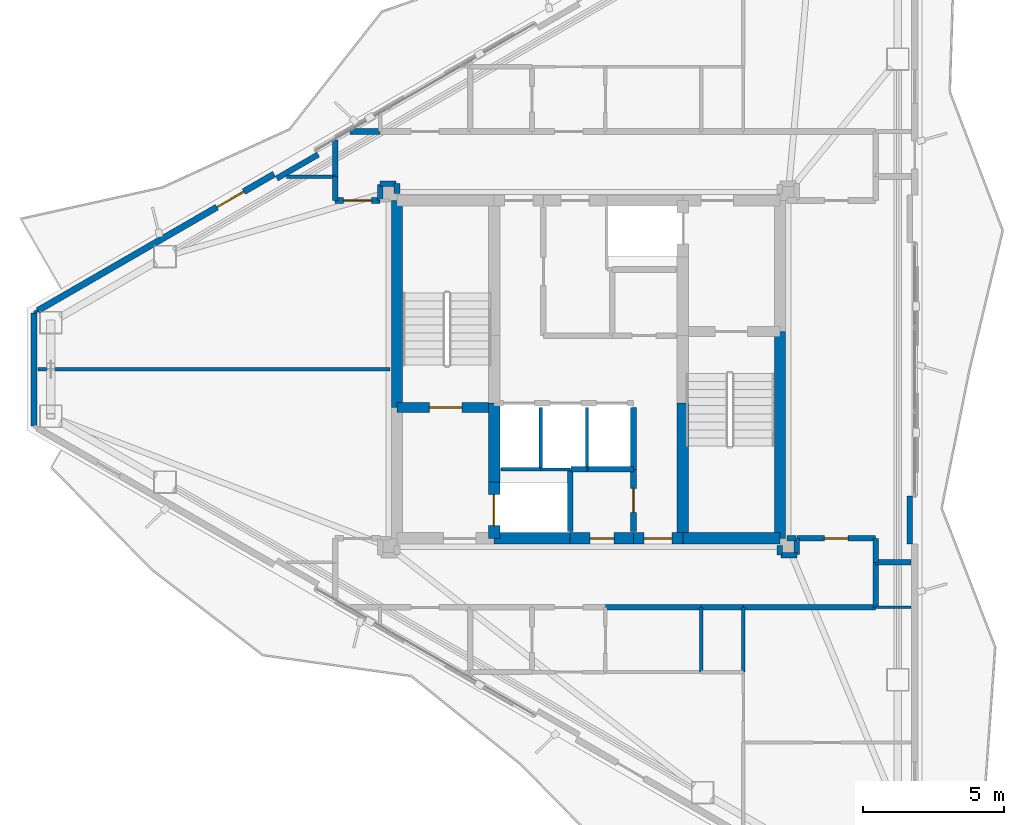
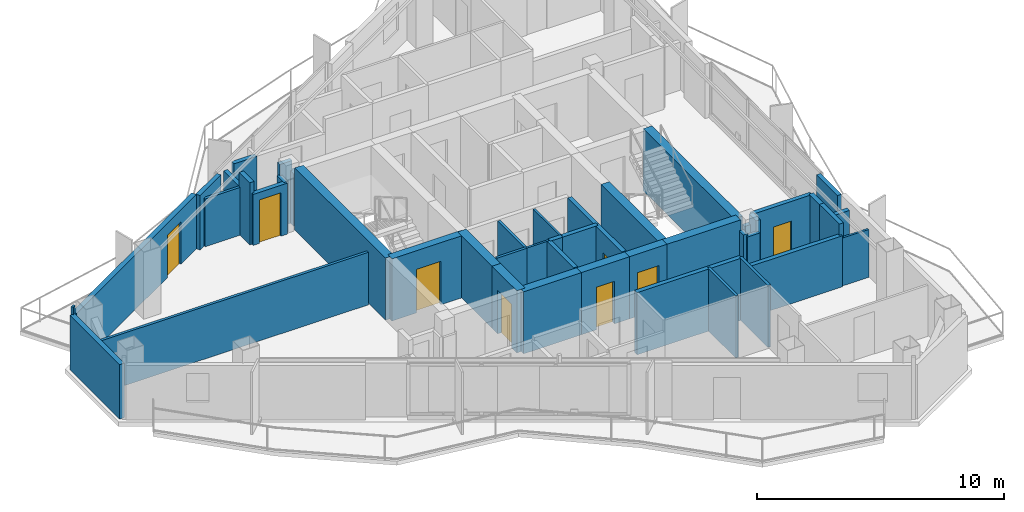
# One storey, part 17 of 22: 47 walls, 8 doors, 8 openings.
"""IFC4 building model written with IfcOpenShell, lengths in metres."""

import ifcopenshell
import ifcopenshell.guid

model = None  # the IFC model being written
_history = None  # IfcOwnerHistory: only IFC2X3 demands one
_inside = {}  # id of a spatial element -> (the spatial element, [elements in it])
_under = {}  # id of a project, library or spatial element -> (it, [spatial elements below it])
_declared = {}  # id of a project -> (the project, [libraries it declares])
_typed = {}  # id of a type object -> (the type object, [elements of that type])
_made_of = {}  # id of a material, layer set ... -> (it, [elements and type objects made of it])


def new_model(schema):
    """Start an empty IFC model of exactly this schema.

    Asked for "IFC4X3", IfcOpenShell would pick the latest addendum, in which some entities
    have other attributes; the version numbers below select the first issue.
    IFC2X3 requires an IfcOwnerHistory on every rooted entity: one is made here for all.
    """
    global model, _history
    if schema == "IFC4X3":
        model = ifcopenshell.file(schema_version=(4, 3, 0, 0))
    else:
        model = ifcopenshell.file(schema=schema)
    _inside.clear()
    _under.clear()
    _declared.clear()
    _typed.clear()
    _made_of.clear()
    _history = None
    if model.schema == "IFC2X3":
        org = make("IfcOrganization", Name="unknown")
        user = make(
            "IfcPersonAndOrganization",
            ThePerson=make("IfcPerson", FamilyName="unknown"),
            TheOrganization=org,
        )
        app = make(
            "IfcApplication",
            ApplicationDeveloper=org,
            Version="unknown",
            ApplicationFullName="unknown",
            ApplicationIdentifier="unknown",
        )
        _history = make(
            "IfcOwnerHistory",
            OwningUser=user,
            OwningApplication=app,
            ChangeAction="ADDED",
            CreationDate=0,
        )
    return model


def make(cls, **values):
    """One entity of the class cls with the attributes given. An attribute that is None is left unset."""
    return model.create_entity(
        cls, **{name: value for name, value in values.items() if value is not None}
    )


def rooted(cls, **values):
    """An entity with a GlobalId (a new one), such as an element, a storey or a relation."""
    return make(cls, GlobalId=ifcopenshell.guid.new(), OwnerHistory=_history, **values)


def si_unit(unit_type, name, prefix=None):
    """IfcSIUnit, for example si_unit("LENGTHUNIT", "METRE", prefix="MILLI")."""
    return make("IfcSIUnit", UnitType=unit_type, Prefix=prefix, Name=name)


def assignment(units):
    """IfcUnitAssignment: the units of a project."""
    return None if units is None else make("IfcUnitAssignment", Units=units)


def point(xyz):
    """IfcCartesianPoint."""
    return None if xyz is None else make("IfcCartesianPoint", Coordinates=xyz)


def direction(xyz):
    """IfcDirection."""
    return None if xyz is None else make("IfcDirection", DirectionRatios=xyz)


def frame(location, z_axis=None, x_axis=None):
    """IfcAxis2Placement3D, a coordinate frame: its origin and axes. An axis left out is left unset."""
    return make(
        "IfcAxis2Placement3D",
        Location=point(location),
        Axis=direction(z_axis),
        RefDirection=direction(x_axis),
    )


def frame_2d(location, x_axis=None):
    """IfcAxis2Placement2D, a coordinate frame in the plane: its origin and x axis."""
    return make(
        "IfcAxis2Placement2D", Location=point(location), RefDirection=direction(x_axis)
    )


def origin():
    """The frame at (0, 0, 0) with its axes left unset."""
    return frame((0.0, 0.0, 0.0))


def place(relative_to, where):
    """IfcLocalPlacement: puts the frame where relative to a parent placement (None: the world)."""
    return make(
        "IfcLocalPlacement", PlacementRelTo=relative_to, RelativePlacement=where
    )


def context(
    kind, dimensions, precision=None, world=None, true_north=None, identifier=None
):
    """IfcGeometricRepresentationContext, for example the 3D "Model" context."""
    return make(
        "IfcGeometricRepresentationContext",
        ContextIdentifier=identifier,
        ContextType=kind,
        CoordinateSpaceDimension=dimensions,
        Precision=precision,
        WorldCoordinateSystem=world,
        TrueNorth=true_north,
    )


def subcontext(parent, identifier, kind, view, scale=None):
    """IfcGeometricRepresentationSubContext, for example "Body" below "Model"."""
    return make(
        "IfcGeometricRepresentationSubContext",
        ContextIdentifier=identifier,
        ContextType=kind,
        ParentContext=parent,
        TargetScale=scale,
        TargetView=view,
    )


def project(units=None, contexts=None):
    """IfcProject with its units and contexts."""
    return rooted(
        "IfcProject",
        Name="project",
        RepresentationContexts=contexts,
        UnitsInContext=assignment(units),
    )


def spatial(cls, under=None, at=None, **own):
    """A site, building, storey or space (cls), placed at a placement, below another one or the project."""
    s = rooted(cls, ObjectPlacement=at, **own)
    if under is not None:
        _under.setdefault(under.id(), (under, []))[1].append(s)
    return s


def profile(cls, at=None, kind="AREA", **sizes):
    """A parametric profile (cls). Its sizes go by their IFC names, for example OverallWidth=200.0."""
    return make(cls, ProfileType=kind, Position=at, **sizes)


def rectangle(**sizes):
    """IfcRectangleProfileDef."""
    return profile("IfcRectangleProfileDef", **sizes)


def extrude(swept, where, along, depth):
    """IfcExtrudedAreaSolid: the profile swept, set in the frame where, extruded along a direction by depth."""
    return make(
        "IfcExtrudedAreaSolid",
        SweptArea=swept,
        Position=where,
        ExtrudedDirection=direction(along),
        Depth=depth,
    )


def shape(context_of_items, identifier, shape_type, items):
    """IfcShapeRepresentation: the items that make up one representation, for example the "Body"."""
    return make(
        "IfcShapeRepresentation",
        ContextOfItems=context_of_items,
        RepresentationIdentifier=identifier,
        RepresentationType=shape_type,
        Items=items,
    )


def material(Name=None, Category=None):
    """IfcMaterial."""
    return make("IfcMaterial", Name=Name, Category=Category)


def layer(
    of_material, thickness, ventilated=None, Name=None, Category=None, Priority=None
):
    """IfcMaterialLayer: one layer of a wall or slab, of a material (None: an air gap)."""
    return make(
        "IfcMaterialLayer",
        Material=of_material,
        LayerThickness=thickness,
        IsVentilated=ventilated,
        Name=Name,
        Category=Category,
        Priority=Priority,
    )


def layer_set(layers, Name=None):
    """IfcMaterialLayerSet."""
    return make("IfcMaterialLayerSet", MaterialLayers=layers, LayerSetName=Name)


def made_of(thing, what):
    """Note that an element or type object is made of a material, layer set ...; save() writes the relation."""
    if what is not None:
        _made_of.setdefault(what.id(), (what, []))[1].append(thing)
    return thing


def type_object(cls, material=None, **own):
    """A type object (cls), such as IfcWallType, which elements share."""
    return made_of(rooted(cls, **own), material)


def element(
    cls,
    number,
    at=None,
    inside=None,
    cuts=None,
    type_object=None,
    material=None,
    context=None,
    identifier="Body",
    shape_type=None,
    held_by="IfcProductDefinitionShape",
    body=None,
    shapes=None,
    **own,
):
    """One element of the class cls, such as IfcWall. Its Tag is "e" and its number.

    at: its placement. inside: the storey or other place that contains it. cuts: it is an
    opening in that element (IfcRelVoidsElement). A single representation is given by context,
    identifier, shape_type and body (its items); several are given by shapes. held_by: the class
    of the entity that holds the representations. save() writes the other relations.
    """
    e = rooted(cls, Tag="e%d" % number, ObjectPlacement=at, **own)
    if body is not None:
        shapes = [shape(context, identifier, shape_type, body)]
    if shapes is not None:
        e.Representation = make(held_by, Representations=shapes)
    if inside is not None:
        _inside.setdefault(inside.id(), (inside, []))[1].append(e)
    if cuts is not None:
        rooted(
            "IfcRelVoidsElement", RelatingBuildingElement=cuts, RelatedOpeningElement=e
        )
    if type_object is not None:
        _typed.setdefault(type_object.id(), (type_object, []))[1].append(e)
    return made_of(e, material)


def fill(opening, filler):
    """IfcRelFillsElement: the door or window that sits in an opening."""
    return rooted(
        "IfcRelFillsElement",
        RelatingOpeningElement=opening,
        RelatedBuildingElement=filler,
    )


def aggregate(whole, parts):
    """IfcRelAggregates: a whole, such as a stair, and the parts it consists of."""
    return rooted("IfcRelAggregates", RelatingObject=whole, RelatedObjects=parts)


def save(model, path):
    """Write the relations noted so far, then the file.

    IfcRelAggregates (storeys below a building ...), IfcRelContainedInSpatialStructure (elements
    in a storey), IfcRelDefinesByType, IfcRelAssociatesMaterial and IfcRelDeclares: one each for
    every whole, place, type object, material and project.
    """
    for whole, parts in _under.values():
        aggregate(whole, parts)
    for where, things in _inside.values():
        rooted(
            "IfcRelContainedInSpatialStructure",
            RelatedElements=things,
            RelatingStructure=where,
        )
    for kind, things in _typed.values():
        rooted("IfcRelDefinesByType", RelatedObjects=things, RelatingType=kind)
    for what, things in _made_of.values():
        rooted("IfcRelAssociatesMaterial", RelatedObjects=things, RelatingMaterial=what)
    for by, libraries in _declared.values():
        rooted("IfcRelDeclares", RelatingContext=by, RelatedDefinitions=libraries)
    model.write(path)


model = new_model("IFC4")

# Units and contexts
model_context = context("Model", 3, precision=1e-05, world=origin(), true_north=direction((0.0, 1.0)))
body_context = subcontext(model_context, "Body", "Model", "MODEL_VIEW")
ifc_project = project(units=[si_unit("LENGTHUNIT", "METRE"), si_unit("AREAUNIT", "SQUARE_METRE"), si_unit("VOLUMEUNIT", "CUBIC_METRE"), si_unit("PLANEANGLEUNIT", "RADIAN"), si_unit("MASSUNIT", "GRAM", prefix="KILO")], contexts=[model_context])

# Site, building, storey
site_placement = place(None, origin())
site = spatial("IfcSite", under=ifc_project, at=site_placement, CompositionType="ELEMENT")
building_placement = place(site_placement, origin())
building = spatial("IfcBuilding", under=site, at=building_placement, Name="Mersakhor Tower and Convention Hall", CompositionType="ELEMENT")
storey_placement = place(building_placement, frame((0.0, 0.0, 208.5)))
storey = spatial("IfcBuildingStorey", under=building, at=storey_placement, Name="L58", CompositionType="ELEMENT", Elevation=208.5)

# Wall
ifc_material_1 = material(Name="Precast concrete C40/50", Category="concrete")
ifc_layer_1 = layer(ifc_material_1, 0.22509765625)
ifc_layer_set_1 = layer_set([ifc_layer_1], Name="Precast concrete C40/50")
wall_type_1 = type_object("IfcWallType", Name="WL-EXT-225", PredefinedType="SOLIDWALL", material=ifc_layer_set_1)
wall_1_placement = place(storey_placement, frame((9.3076171875, 24.73828125, 0.0), z_axis=(0.0, 0.0, 1.0), x_axis=(0.0, 1.0, 0.0)))
element("IfcWall", 1, at=wall_1_placement, inside=storey, type_object=wall_type_1, Name="L58 Chamfer Braced Spandrel Wall C3", PredefinedType="SOLIDWALL", context=body_context, shape_type="SweptSolid", body=[
    extrude(rectangle(XDim=4.0234375, YDim=0.22509765625, at=frame_2d((2.01171875, 0.0))), origin(), (0.0, 0.0, 1.0), 2.68994140625),
])

# Wall, opening, door
wall_2_placement = place(storey_placement, frame((9.4375, 28.836669921875, 0.0), z_axis=(0.0, 0.0, 1.0), x_axis=(0.866027133173, 0.499997004599, 0.0)))
wall_2 = element("IfcWall", 2, at=wall_2_placement, inside=storey, type_object=wall_type_1, Name="L58 Exterior Facade Wall F1-B1", PredefinedType="SOLIDWALL", context=body_context, shape_type="SweptSolid", body=[
    extrude(rectangle(XDim=9.69873046875, YDim=0.22509765625, at=frame_2d((4.849365234375, 0.0))), origin(), (0.0, 0.0, 1.0), 2.68994140625),
])
opening_1_placement = place(wall_2_placement, frame((7.35205078125, 0.0, 0.0)))
opening_1 = element("IfcOpeningElement", 3, at=opening_1_placement, cuts=wall_2, Name="Opening BD-02", PredefinedType="OPENING", context=body_context, shape_type="SweptSolid", body=[
    extrude(rectangle(XDim=1.10009765625, YDim=2.10009765625, at=frame_2d((0.550048828125, 1.050048828125))), frame((0.0, 0.12255859375, 0.0), z_axis=(0.0, -1.0, 0.0), x_axis=(1.0, 0.0, 0.0)), (0.0, 0.0, 1.0), 0.2451171875),
])
ifc_material_2 = material(Name="Thermally broken dark aluminium and safety glass", Category="aluminium")
door_type_1 = type_object("IfcDoorType", Name="DR-BAL-110x210", OperationType="NOTDEFINED", PredefinedType="DOOR", material=ifc_material_2)
door_1_placement = place(opening_1_placement, origin())
door_1 = element("IfcDoor", 4, at=door_1_placement, inside=storey, type_object=door_type_1, Name="L58 Balcony Terrace Door F1-B1", OperationType="SINGLE_SWING_RIGHT", OverallHeight=2.10009765625, OverallWidth=1.10009765625, PredefinedType="DOOR", context=body_context, shape_type="SweptSolid", body=[
    extrude(rectangle(XDim=1.10009765625, YDim=2.10009765625, at=frame_2d((0.550048828125, 1.050048828125))), frame((0.0, 0.02490234375, 0.0), z_axis=(0.0, -1.0, 0.0), x_axis=(1.0, 0.0, 0.0)), (0.0, 0.0, 1.0), 0.050048828125),
])
fill(opening_1, door_1)

# Walls
ifc_material_3 = material(Name="Precast concrete C40/50", Category="concrete")
ifc_layer_2 = layer(ifc_material_3, 0.199951171875)
ifc_layer_set_2 = layer_set([ifc_layer_2], Name="Precast concrete C40/50")
wall_type_2 = type_object("IfcWallType", Name="WL-PAR-200", PredefinedType="PARAPET", material=ifc_layer_set_2)
for number, where, z_axis, x_axis, name in (
    (5, (17.927001953125, 33.5302734375, 0.0), (0.0, 0.0, 1.0), (0.86605165483, 0.499954529098, 0.0), "L58 Column Pier Cladding Wall F1-C1"),
    (6, (40.408447265625, 22.25048828125, 0.0), (0.0, 0.0, 1.0), (0.0, -1.0, 0.0), "L58 Column Pier Cladding Wall F2-C2"),
):
    element("IfcWall", number, at=place(storey_placement, frame(where, z_axis=z_axis, x_axis=x_axis)), inside=storey, type_object=wall_type_2, Name=name, PredefinedType="PARAPET", context=body_context, shape_type="SweptSolid", body=[
        extrude(rectangle(XDim=1.699951171875, YDim=0.199951171875, at=frame_2d((0.85009765625, 0.0))), origin(), (0.0, 0.0, 1.0), 2.68994140625),
    ])
ifc_material_4 = material(Name="Lightweight gypsum partition", Category="other")
ifc_layer_3 = layer(ifc_material_4, 0.10009765625)
ifc_layer_set_3 = layer_set([ifc_layer_3], Name="Lightweight gypsum partition")
wall_type_3 = type_object("IfcWallType", Name="WL-PRT-100", PredefinedType="PARTITIONING", material=ifc_layer_set_3)
wall_3_placement = place(storey_placement, frame((27.300048828125, 23.199951171875, 0.0), z_axis=(0.0, 0.0, 1.0), x_axis=(1.0, 0.0, 0.0)))
element("IfcWall", 7, at=wall_3_placement, inside=storey, type_object=wall_type_3, Name="L58 Interior Partition Wall P-002", PredefinedType="PARTITIONING", context=body_context, shape_type="SweptSolid", body=[
    extrude(rectangle(XDim=1.050048828125, YDim=0.10009765625, at=frame_2d((0.52490234375, 0.0))), origin(), (0.0, 0.0, 1.0), 3.070068359375),
])
wall_4_placement = place(storey_placement, frame((28.949951171875, 25.39990234375, 0.0), z_axis=(0.0, 0.0, 1.0), x_axis=(0.0, -1.0, 0.0)))
element("IfcWall", 8, at=wall_4_placement, inside=storey, type_object=wall_type_3, Name="L58 Interior Partition Wall P-008", PredefinedType="PARTITIONING", context=body_context, shape_type="SweptSolid", body=[
    extrude(rectangle(XDim=2.199951171875, YDim=0.10009765625, at=frame_2d((1.10009765625, 0.0))), origin(), (0.0, 0.0, 1.0), 3.070068359375),
])
wall_5_placement = place(storey_placement, frame((9.306884765625, 28.761962890625, 0.0), z_axis=(0.0, 0.0, 1.0), x_axis=(0.866239593359, 0.499628829129, 0.0)))
element("IfcWall", 9, at=wall_5_placement, inside=storey, type_object=wall_type_3, Name="L58 Interior Partition Wall P-072", PredefinedType="PARTITIONING", context=body_context, shape_type="SweptSolid", body=[
    extrude(rectangle(XDim=0.150390625, YDim=0.10009765625, at=frame_2d((0.0751953125, 0.0))), origin(), (0.0, 0.0, 1.0), 3.070068359375),
])
wall_6_placement = place(storey_placement, frame((39.199951171875, 18.300048828125, 0.0), z_axis=(0.0, 0.0, 1.0), x_axis=(1.0, 0.0, 0.0)))
element("IfcWall", 10, at=wall_6_placement, inside=storey, type_object=wall_type_3, Name="L58 Interior Partition Wall P-096", PredefinedType="PARTITIONING", context=body_context, shape_type="SweptSolid", body=[
    extrude(rectangle(XDim=1.251953125, YDim=0.10009765625, at=frame_2d((0.6259765625, 0.0))), origin(), (0.0, 0.0, 1.0), 2.364990234375),
])
ifc_material_5 = material(Name="Gypsum board acoustic partition", Category="other")
ifc_layer_4 = layer(ifc_material_5, 0.125)
ifc_layer_set_4 = layer_set([ifc_layer_4], Name="Gypsum board acoustic partition")
wall_type_4 = type_object("IfcWallType", Name="WL-PRT-125", PredefinedType="PARTITIONING", material=ifc_layer_set_4)
wall_7_placement = place(storey_placement, frame((25.89990234375, 23.199951171875, 0.0), z_axis=(0.0, 0.0, 1.0), x_axis=(1.0, 0.0, 0.0)))
element("IfcWall", 11, at=wall_7_placement, inside=storey, type_object=wall_type_4, Name="L58 Interior Partition Wall P-001", PredefinedType="PARTITIONING", context=body_context, shape_type="SweptSolid", body=[
    extrude(rectangle(XDim=1.400146484375, YDim=0.125, at=frame_2d((0.7001953125, 0.0))), origin(), (0.0, 0.0, 1.0), 3.070068359375),
])
wall_8_placement = place(storey_placement, frame((27.300048828125, 25.39990234375, 0.0), z_axis=(0.0, 0.0, 1.0), x_axis=(0.0, -1.0, 0.0)))
element("IfcWall", 12, at=wall_8_placement, inside=storey, type_object=wall_type_4, Name="L58 Interior Partition Wall P-007", PredefinedType="PARTITIONING", context=body_context, shape_type="SweptSolid", body=[
    extrude(rectangle(XDim=2.199951171875, YDim=0.125, at=frame_2d((1.10009765625, 0.0))), origin(), (0.0, 0.0, 1.0), 3.070068359375),
])
wall_9_placement = place(storey_placement, frame((33.0, 18.300048828125, 0.0), z_axis=(0.0, 0.0, 1.0), x_axis=(0.0, -1.0, 0.0)))
element("IfcWall", 13, at=wall_9_placement, inside=storey, type_object=wall_type_4, Name="L58 Interior Partition Wall P-067", PredefinedType="PARTITIONING", context=body_context, shape_type="SweptSolid", body=[
    extrude(rectangle(XDim=2.300048828125, YDim=0.125, at=frame_2d((1.14990234375, 0.0))), origin(), (0.0, 0.0, 1.0), 3.070068359375),
])
wall_10_placement = place(storey_placement, frame((18.273193359375, 33.60009765625, 0.0), z_axis=(0.0, 0.0, 1.0), x_axis=(1.0, 0.0, 0.0)))
element("IfcWall", 14, at=wall_10_placement, inside=storey, type_object=wall_type_4, Name="L58 Interior Partition Wall P-069", PredefinedType="PARTITIONING", context=body_context, shape_type="SweptSolid", body=[
    extrude(rectangle(XDim=1.726806640625, YDim=0.125, at=frame_2d((0.86328125, 0.0))), origin(), (0.0, 0.0, 1.0), 2.364990234375),
])
wall_11_placement = place(storey_placement, frame((21.949951171875, 26.75, 0.0), z_axis=(0.0, 0.0, 1.0), x_axis=(-1.0, 0.0, 0.0)))
element("IfcWall", 15, at=wall_11_placement, inside=storey, type_object=wall_type_4, Name="L58 Interior Partition Wall P-071", PredefinedType="PARTITIONING", context=body_context, shape_type="SweptSolid", body=[
    extrude(rectangle(XDim=12.505859375, YDim=0.125, at=frame_2d((6.2529296875, 0.0))), origin(), (0.0, 0.0, 1.0), 2.594970703125),
])
wall_12_placement = place(storey_placement, frame((34.5, 16.0, 0.0), z_axis=(0.0, 0.0, 1.0), x_axis=(0.0, 1.0, 0.0)))
element("IfcWall", 16, at=wall_12_placement, inside=storey, type_object=wall_type_4, Name="L58 Interior Partition Wall P-097", PredefinedType="PARTITIONING", context=body_context, shape_type="SweptSolid", body=[
    extrude(rectangle(XDim=2.300048828125, YDim=0.125, at=frame_2d((1.14990234375, 0.0))), origin(), (0.0, 0.0, 1.0), 3.070068359375),
])
ifc_material_6 = material(Name="Acoustic concrete blockwork and gypsum board", Category="masonry")
ifc_layer_5 = layer(ifc_material_6, 0.199951171875)
ifc_layer_set_5 = layer_set([ifc_layer_5], Name="Acoustic concrete blockwork and gypsum board")
wall_type_5 = type_object("IfcWallType", Name="WL-PRT-200", PredefinedType="PARTITIONING", material=ifc_layer_set_5)
wall_13_placement = place(storey_placement, frame((28.35009765625, 23.199951171875, 0.0), z_axis=(0.0, 0.0, 1.0), x_axis=(0.0, -1.0, 0.0)))
element("IfcWall", 17, at=wall_13_placement, inside=storey, type_object=wall_type_5, Name="L58 Interior Partition Wall P-003", PredefinedType="PARTITIONING", context=body_context, shape_type="SweptSolid", body=[
    extrude(rectangle(XDim=2.199951171875, YDim=0.199951171875, at=frame_2d((1.10009765625, 0.0))), origin(), (0.0, 0.0, 1.0), 3.070068359375),
])
wall_14_placement = place(storey_placement, frame((28.949951171875, 23.199951171875, 0.0), z_axis=(0.0, 0.0, 1.0), x_axis=(-1.0, 0.0, 0.0)))
element("IfcWall", 18, at=wall_14_placement, inside=storey, type_object=wall_type_5, Name="L58 Interior Partition Wall P-009", PredefinedType="PARTITIONING", context=body_context, shape_type="SweptSolid", body=[
    extrude(rectangle(XDim=0.570068359375, YDim=0.199951171875, at=frame_2d((0.28515625, 0.0))), origin(), (0.0, 0.0, 1.0), 3.070068359375),
])
wall_15_placement = place(storey_placement, frame((30.60009765625, 25.39990234375, 0.0), z_axis=(0.0, 0.0, 1.0), x_axis=(0.0, -1.0, 0.0)))
element("IfcWall", 19, at=wall_15_placement, inside=storey, type_object=wall_type_5, Name="L58 Interior Partition Wall P-010", PredefinedType="PARTITIONING", context=body_context, shape_type="SweptSolid", body=[
    extrude(rectangle(XDim=2.199951171875, YDim=0.199951171875, at=frame_2d((1.10009765625, 0.0))), origin(), (0.0, 0.0, 1.0), 3.070068359375),
])
wall_16_placement = place(storey_placement, frame((30.60009765625, 23.199951171875, 0.0), z_axis=(0.0, 0.0, 1.0), x_axis=(-1.0, 0.0, 0.0)))
element("IfcWall", 20, at=wall_16_placement, inside=storey, type_object=wall_type_5, Name="L58 Interior Partition Wall P-011", PredefinedType="PARTITIONING", context=body_context, shape_type="SweptSolid", body=[
    extrude(rectangle(XDim=1.650146484375, YDim=0.199951171875, at=frame_2d((0.8251953125, 0.0))), origin(), (0.0, 0.0, 1.0), 3.070068359375),
])

# Wall, opening, door
wall_17_placement = place(storey_placement, frame((30.60009765625, 21.0, 0.0), z_axis=(0.0, 0.0, 1.0), x_axis=(0.0, 1.0, 0.0)))
wall_17 = element("IfcWall", 21, at=wall_17_placement, inside=storey, type_object=wall_type_5, Name="L58 Interior Partition Wall P-012", PredefinedType="PARTITIONING", context=body_context, shape_type="SweptSolid", body=[
    extrude(rectangle(XDim=2.199951171875, YDim=0.199951171875, at=frame_2d((1.10009765625, 0.0))), origin(), (0.0, 0.0, 1.0), 3.070068359375),
])
opening_2_placement = place(wall_17_placement, frame((0.675048828125, 0.0, 0.0)))
opening_2 = element("IfcOpeningElement", 22, at=opening_2_placement, cuts=wall_17, Name="Opening SVD-01", PredefinedType="OPENING", context=body_context, shape_type="SweptSolid", body=[
    extrude(rectangle(XDim=0.85009765625, YDim=2.10009765625, at=frame_2d((0.425048828125, 1.050048828125))), frame((0.0, 0.10986328125, 0.0), z_axis=(0.0, -1.0, 0.0), x_axis=(1.0, 0.0, 0.0)), (0.0, 0.0, 1.0), 0.219970703125),
])
ifc_material_7 = material(Name="Fire-rated hardwood leaf and painted steel frame", Category="steel")
door_type_2 = type_object("IfcDoorType", Name="DR-INT-SVC-085x210", OperationType="NOTDEFINED", PredefinedType="DOOR", material=ifc_material_7)
door_2_placement = place(opening_2_placement, origin())
door_2 = element("IfcDoor", 23, at=door_2_placement, inside=storey, type_object=door_type_2, Name="L58 Central Passenger Lift Lobby to Electrical Switchroom Door", OperationType="SINGLE_SWING_RIGHT", OverallHeight=2.10009765625, OverallWidth=0.85009765625, PredefinedType="DOOR", context=body_context, shape_type="SweptSolid", body=[
    extrude(rectangle(XDim=0.85009765625, YDim=2.10009765625, at=frame_2d((0.425048828125, 1.050048828125))), frame((0.0, 0.02490234375, 0.0), z_axis=(0.0, -1.0, 0.0), x_axis=(1.0, 0.0, 0.0)), (0.0, 0.0, 1.0), 0.050048828125),
])
fill(opening_2, door_2)

# Walls
wall_18_placement = place(storey_placement, frame((22.199951171875, 33.0, 0.0), z_axis=(0.0, 0.0, 1.0), x_axis=(0.0, 1.0, 0.0)))
element("IfcWall", 24, at=wall_18_placement, inside=storey, type_object=wall_type_5, Name="L58 Interior Partition Wall P-022", PredefinedType="PARTITIONING", context=body_context, shape_type="SweptSolid", body=[
    extrude(rectangle(XDim=0.35009765625, YDim=0.199951171875, at=frame_2d((0.175048828125, 0.0))), origin(), (0.0, 0.0, 1.0), 2.594970703125),
])
wall_19_placement = place(storey_placement, frame((22.169921875, 33.35009765625, 0.0), z_axis=(0.0, 0.0, 1.0), x_axis=(-1.0, 0.0, 0.0)))
element("IfcWall", 25, at=wall_19_placement, inside=storey, type_object=wall_type_5, Name="L58 Interior Partition Wall P-023", PredefinedType="PARTITIONING", context=body_context, shape_type="SweptSolid", body=[
    extrude(rectangle(XDim=0.56982421875, YDim=0.199951171875, at=frame_2d((0.284912109375, 0.0))), origin(), (0.0, 0.0, 1.0), 3.070068359375),
])
wall_20_placement = place(storey_placement, frame((21.60009765625, 33.320068359375, 0.0), z_axis=(0.0, 0.0, 1.0), x_axis=(0.0, -1.0, 0.0)))
element("IfcWall", 26, at=wall_20_placement, inside=storey, type_object=wall_type_5, Name="L58 Interior Partition Wall P-024", PredefinedType="PARTITIONING", context=body_context, shape_type="SweptSolid", body=[
    extrude(rectangle(XDim=0.570068359375, YDim=0.199951171875, at=frame_2d((0.28515625, 0.0))), origin(), (0.0, 0.0, 1.0), 2.518310546875),
])

# Wall, opening, door
wall_21_placement = place(storey_placement, frame((21.60009765625, 32.75, 0.0), z_axis=(0.0, 0.0, 1.0), x_axis=(-1.0, 0.0, 0.0)))
wall_21 = element("IfcWall", 27, at=wall_21_placement, inside=storey, type_object=wall_type_5, Name="L58 Interior Partition Wall P-025", PredefinedType="PARTITIONING", context=body_context, shape_type="SweptSolid", body=[
    extrude(rectangle(XDim=1.60009765625, YDim=0.199951171875, at=frame_2d((0.800048828125, 0.0))), origin(), (0.0, 0.0, 1.0), 2.518310546875),
])
opening_3_placement = place(wall_21_placement, frame((0.300048828125, 0.0, 0.0)))
opening_3 = element("IfcOpeningElement", 28, at=opening_3_placement, cuts=wall_21, Name="Opening FD-01", PredefinedType="OPENING", context=body_context, shape_type="SweptSolid", body=[
    extrude(rectangle(XDim=1.0, YDim=2.14990234375, at=frame_2d((0.5, 1.074951171875))), frame((0.0, 0.10986328125, 0.0), z_axis=(0.0, -1.0, 0.0), x_axis=(1.0, 0.0, 0.0)), (0.0, 0.0, 1.0), 0.219970703125),
])
ifc_material_8 = material(Name="Fire-rated hardwood leaf and painted steel frame", Category="steel")
door_type_3 = type_object("IfcDoorType", Name="DR-INT-FLT-100x215", OperationType="NOTDEFINED", PredefinedType="DOOR", material=ifc_material_8)
door_3_placement = place(opening_3_placement, origin())
door_3 = element("IfcDoor", 29, at=door_3_placement, inside=storey, type_object=door_type_3, Name="L58 Residential North Gallery Corridor to L58 West Wing Residents Library Hall Door", OperationType="SINGLE_SWING_LEFT", OverallHeight=2.14990234375, OverallWidth=1.0, PredefinedType="DOOR", context=body_context, shape_type="SweptSolid", body=[
    extrude(rectangle(XDim=1.0, YDim=2.14990234375, at=frame_2d((0.5, 1.074951171875))), frame((0.0, 0.02490234375, 0.0), z_axis=(0.0, -1.0, 0.0), x_axis=(1.0, 0.0, 0.0)), (0.0, 0.0, 1.0), 0.050048828125),
])
fill(opening_3, door_3)

# Walls
wall_22_placement = place(storey_placement, frame((20.0, 32.75, 0.0), z_axis=(0.0, 0.0, 1.0), x_axis=(0.0, 1.0, 0.0)))
element("IfcWall", 30, at=wall_22_placement, inside=storey, type_object=wall_type_5, Name="L58 Interior Partition Wall P-026", PredefinedType="PARTITIONING", context=body_context, shape_type="SweptSolid", body=[
    extrude(rectangle(XDim=0.85009765625, YDim=0.199951171875, at=frame_2d((0.425048828125, 0.0))), origin(), (0.0, 0.0, 1.0), 3.070068359375),
])
wall_23_placement = place(storey_placement, frame((20.0, 33.60009765625, 0.0), z_axis=(0.0, 0.0, 1.0), x_axis=(0.0, 1.0, 0.0)))
element("IfcWall", 31, at=wall_23_placement, inside=storey, type_object=wall_type_5, Name="L58 Interior Partition Wall P-027", PredefinedType="PARTITIONING", context=body_context, shape_type="SweptSolid", body=[
    extrude(rectangle(XDim=1.291015625, YDim=0.199951171875, at=frame_2d((0.6455078125, 0.0))), origin(), (0.0, 0.0, 1.0), 2.364990234375),
])
wall_24_placement = place(storey_placement, frame((20.5283203125, 35.199951171875, 0.0), z_axis=(0.0, 0.0, 1.0), x_axis=(1.0, 0.0, 0.0)))
element("IfcWall", 32, at=wall_24_placement, inside=storey, type_object=wall_type_5, Name="L58 Interior Partition Wall P-028", PredefinedType="PARTITIONING", context=body_context, shape_type="SweptSolid", body=[
    extrude(rectangle(XDim=1.07177734375, YDim=0.199951171875, at=frame_2d((0.535888671875, 0.0))), origin(), (0.0, 0.0, 1.0), 2.364990234375),
])
wall_25_placement = place(storey_placement, frame((35.800048828125, 20.5, 0.0), z_axis=(0.0, 0.0, 1.0), x_axis=(0.0, -1.0, 0.0)))
element("IfcWall", 33, at=wall_25_placement, inside=storey, type_object=wall_type_5, Name="L58 Interior Partition Wall P-039", PredefinedType="PARTITIONING", context=body_context, shape_type="SweptSolid", body=[
    extrude(rectangle(XDim=0.35009765625, YDim=0.199951171875, at=frame_2d((0.175048828125, 0.0))), origin(), (0.0, 0.0, 1.0), 2.594970703125),
])
wall_26_placement = place(storey_placement, frame((35.830078125, 20.14990234375, 0.0), z_axis=(0.0, 0.0, 1.0), x_axis=(1.0, 0.0, 0.0)))
element("IfcWall", 34, at=wall_26_placement, inside=storey, type_object=wall_type_5, Name="L58 Interior Partition Wall P-040", PredefinedType="PARTITIONING", context=body_context, shape_type="SweptSolid", body=[
    extrude(rectangle(XDim=0.56982421875, YDim=0.199951171875, at=frame_2d((0.284912109375, 0.0))), origin(), (0.0, 0.0, 1.0), 2.518310546875),
])
wall_27_placement = place(storey_placement, frame((36.39990234375, 20.179931640625, 0.0), z_axis=(0.0, 0.0, 1.0), x_axis=(0.0, 1.0, 0.0)))
element("IfcWall", 35, at=wall_27_placement, inside=storey, type_object=wall_type_5, Name="L58 Interior Partition Wall P-041", PredefinedType="PARTITIONING", context=body_context, shape_type="SweptSolid", body=[
    extrude(rectangle(XDim=0.570068359375, YDim=0.199951171875, at=frame_2d((0.28515625, 0.0))), origin(), (0.0, 0.0, 1.0), 3.070068359375),
])

# Wall, opening, door
wall_28_placement = place(storey_placement, frame((36.39990234375, 20.75, 0.0), z_axis=(0.0, 0.0, 1.0), x_axis=(1.0, 0.0, 0.0)))
wall_28 = element("IfcWall", 36, at=wall_28_placement, inside=storey, type_object=wall_type_5, Name="L58 Interior Partition Wall P-042", PredefinedType="PARTITIONING", context=body_context, shape_type="SweptSolid", body=[
    extrude(rectangle(XDim=2.800048828125, YDim=0.199951171875, at=frame_2d((1.39990234375, 0.0))), origin(), (0.0, 0.0, 1.0), 3.070068359375),
])
opening_4_placement = place(wall_28_placement, frame((0.97509765625, 0.0, 0.0)))
opening_4 = element("IfcOpeningElement", 37, at=opening_4_placement, cuts=wall_28, Name="Opening SVD-01", PredefinedType="OPENING", context=body_context, shape_type="SweptSolid", body=[
    extrude(rectangle(XDim=0.85009765625, YDim=2.10009765625, at=frame_2d((0.425048828125, 1.050048828125))), frame((0.0, 0.10986328125, 0.0), z_axis=(0.0, -1.0, 0.0), x_axis=(1.0, 0.0, 0.0)), (0.0, 0.0, 1.0), 0.219970703125),
])
door_4_placement = place(opening_4_placement, origin())
door_4 = element("IfcDoor", 38, at=door_4_placement, inside=storey, type_object=door_type_2, Name="L58 Residential South Gallery Corridor to L58 East Wing Household Store Door", OperationType="SINGLE_SWING_LEFT", OverallHeight=2.10009765625, OverallWidth=0.85009765625, PredefinedType="DOOR", context=body_context, shape_type="SweptSolid", body=[
    extrude(rectangle(XDim=0.85009765625, YDim=2.10009765625, at=frame_2d((0.425048828125, 1.050048828125))), frame((0.0, 0.02490234375, 0.0), z_axis=(0.0, -1.0, 0.0), x_axis=(1.0, 0.0, 0.0)), (0.0, 0.0, 1.0), 0.050048828125),
])
fill(opening_4, door_4)

# Walls
wall_29_placement = place(storey_placement, frame((39.199951171875, 20.75, 0.0), z_axis=(0.0, 0.0, 1.0), x_axis=(0.0, -1.0, 0.0)))
element("IfcWall", 39, at=wall_29_placement, inside=storey, type_object=wall_type_5, Name="L58 Interior Partition Wall P-043", PredefinedType="PARTITIONING", context=body_context, shape_type="SweptSolid", body=[
    extrude(rectangle(XDim=0.85009765625, YDim=0.199951171875, at=frame_2d((0.425048828125, 0.0))), origin(), (0.0, 0.0, 1.0), 3.070068359375),
])
wall_30_placement = place(storey_placement, frame((39.199951171875, 19.89990234375, 0.0), z_axis=(0.0, 0.0, 1.0), x_axis=(0.0, -1.0, 0.0)))
element("IfcWall", 40, at=wall_30_placement, inside=storey, type_object=wall_type_5, Name="L58 Interior Partition Wall P-044", PredefinedType="PARTITIONING", context=body_context, shape_type="SweptSolid", body=[
    extrude(rectangle(XDim=1.599853515625, YDim=0.199951171875, at=frame_2d((0.7998046875, 0.0))), origin(), (0.0, 0.0, 1.0), 3.070068359375),
])
wall_31_placement = place(storey_placement, frame((39.199951171875, 18.300048828125, 0.0), z_axis=(0.0, 0.0, 1.0), x_axis=(-1.0, 0.0, 0.0)))
element("IfcWall", 41, at=wall_31_placement, inside=storey, type_object=wall_type_5, Name="L58 Interior Partition Wall P-045", PredefinedType="PARTITIONING", context=body_context, shape_type="SweptSolid", body=[
    extrude(rectangle(XDim=4.699951171875, YDim=0.199951171875, at=frame_2d((2.35009765625, 0.0))), origin(), (0.0, 0.0, 1.0), 2.518310546875),
])
wall_32_placement = place(storey_placement, frame((34.5, 18.300048828125, 0.0), z_axis=(0.0, 0.0, 1.0), x_axis=(-1.0, 0.0, 0.0)))
element("IfcWall", 42, at=wall_32_placement, inside=storey, type_object=wall_type_5, Name="L58 Interior Partition Wall P-046", PredefinedType="PARTITIONING", context=body_context, shape_type="SweptSolid", body=[
    extrude(rectangle(XDim=1.5, YDim=0.199951171875, at=frame_2d((0.75, 0.0))), origin(), (0.0, 0.0, 1.0), 3.070068359375),
])
wall_33_placement = place(storey_placement, frame((33.0, 18.300048828125, 0.0), z_axis=(0.0, 0.0, 1.0), x_axis=(-1.0, 0.0, 0.0)))
element("IfcWall", 43, at=wall_33_placement, inside=storey, type_object=wall_type_5, Name="L58 Interior Partition Wall P-047", PredefinedType="PARTITIONING", context=body_context, shape_type="SweptSolid", body=[
    extrude(rectangle(XDim=3.39990234375, YDim=0.199951171875, at=frame_2d((1.699951171875, 0.0))), origin(), (0.0, 0.0, 1.0), 3.070068359375),
])
wall_34_placement = place(storey_placement, frame((36.3701171875, 20.75, 0.0), z_axis=(0.0, 0.0, 1.0), x_axis=(-1.0, 0.0, 0.0)))
element("IfcWall", 44, at=wall_34_placement, inside=storey, type_object=wall_type_5, Name="L58 Interior Partition Wall P-076", PredefinedType="PARTITIONING", context=body_context, shape_type="SweptSolid", body=[
    extrude(rectangle(XDim=0.320068359375, YDim=0.199951171875, at=frame_2d((0.16015625, 0.0))), origin(), (0.0, 0.0, 1.0), 2.594970703125),
])
wall_35_placement = place(storey_placement, frame((40.451904296875, 19.89990234375, 0.0), z_axis=(0.0, 0.0, 1.0), x_axis=(-1.0, 0.0, 0.0)))
element("IfcWall", 45, at=wall_35_placement, inside=storey, type_object=wall_type_5, Name="L58 Interior Partition Wall P-079", PredefinedType="PARTITIONING", context=body_context, shape_type="SweptSolid", body=[
    extrude(rectangle(XDim=1.251953125, YDim=0.199951171875, at=frame_2d((0.6259765625, 0.0))), origin(), (0.0, 0.0, 1.0), 2.364990234375),
])

# Wall, opening, door
ifc_material_9 = material(Name="Concrete C50/60", Category="concrete")
ifc_layer_6 = layer(ifc_material_9, 0.35009765625)
ifc_layer_set_6 = layer_set([ifc_layer_6], Name="Concrete C50/60")
wall_type_6 = type_object("IfcWallType", Name="WL-SHR-350", PredefinedType="SHEAR", material=ifc_layer_set_6)
wall_36_placement = place(storey_placement, frame((22.199951171875, 25.39990234375, 0.0), z_axis=(0.0, 0.0, 1.0), x_axis=(1.0, 0.0, 0.0)))
wall_36 = element("IfcWall", 46, at=wall_36_placement, inside=storey, type_object=wall_type_6, Name="L58 Core Wall CS-ST1-S", PredefinedType="SHEAR", context=body_context, shape_type="SweptSolid", body=[
    extrude(rectangle(XDim=3.449951171875, YDim=0.35009765625, at=frame_2d((1.72509765625, 0.0))), origin(), (0.0, 0.0, 1.0), 3.070068359375),
])
opening_5_placement = place(wall_36_placement, frame((1.14990234375, 0.0, 0.0)))
opening_5 = element("IfcOpeningElement", 47, at=opening_5_placement, cuts=wall_36, Name="Opening SD-01", PredefinedType="OPENING", context=body_context, shape_type="SweptSolid", body=[
    extrude(rectangle(XDim=1.14990234375, YDim=2.14990234375, at=frame_2d((0.574951171875, 1.074951171875))), frame((0.0, 0.18505859375, 0.0), z_axis=(0.0, -1.0, 0.0), x_axis=(1.0, 0.0, 0.0)), (0.0, 0.0, 1.0), 0.3701171875),
])
ifc_material_10 = material(Name="Fire-rated hardwood leaf and painted steel frame", Category="steel")
door_type_4 = type_object("IfcDoorType", Name="DR-INT-STAIR-115x215", OperationType="NOTDEFINED", PredefinedType="DOOR", material=ifc_material_10)
door_5_placement = place(opening_5_placement, origin())
door_5 = element("IfcDoor", 48, at=door_5_placement, inside=storey, type_object=door_type_4, Name="L58 Exit Stair ST-1 Enclosure Door", OperationType="SINGLE_SWING_LEFT", OverallHeight=2.14990234375, OverallWidth=1.14990234375, PredefinedType="DOOR", context=body_context, shape_type="SweptSolid", body=[
    extrude(rectangle(XDim=1.14990234375, YDim=2.14990234375, at=frame_2d((0.574951171875, 1.074951171875))), frame((0.0, 0.02490234375, 0.0), z_axis=(0.0, -1.0, 0.0), x_axis=(1.0, 0.0, 0.0)), (0.0, 0.0, 1.0), 0.050048828125),
])
fill(opening_5, door_5)

# Walls
ifc_material_11 = material(Name="Concrete C60/75", Category="concrete")
ifc_layer_7 = layer(ifc_material_11, 0.39990234375)
ifc_layer_set_7 = layer_set([ifc_layer_7], Name="Concrete C60/75")
wall_type_7 = type_object("IfcWallType", Name="WL-SHR-400", PredefinedType="SHEAR", material=ifc_layer_set_7)
for number, where, z_axis, x_axis, name in (
    (49, (22.199951171875, 25.39990234375, 0.0), (0.0, 0.0, 1.0), (0.0, 1.0, 0.0), "L58 Core Wall CW-W2"),
    (50, (35.800048828125, 28.10009765625, 0.0), (0.0, 0.0, 1.0), (0.0, -1.0, 0.0), "L58 Core Wall CW-E2"),
):
    element("IfcWall", number, at=place(storey_placement, frame(where, z_axis=z_axis, x_axis=x_axis)), inside=storey, type_object=wall_type_7, Name=name, PredefinedType="SHEAR", context=body_context, shape_type="SweptSolid", body=[
        extrude(rectangle(XDim=7.35009765625, YDim=0.39990234375, at=frame_2d((3.675048828125, 0.0))), origin(), (0.0, 0.0, 1.0), 3.070068359375),
    ])
wall_37_placement = place(storey_placement, frame((35.800048828125, 20.75, 0.0), z_axis=(0.0, 0.0, 1.0), x_axis=(-1.0, 0.0, 0.0)))
element("IfcWall", 51, at=wall_37_placement, inside=storey, type_object=wall_type_7, Name="L58 Core Wall CW-S1", PredefinedType="SHEAR", context=body_context, shape_type="SweptSolid", body=[
    extrude(rectangle(XDim=3.449951171875, YDim=0.39990234375, at=frame_2d((1.72509765625, 0.0))), origin(), (0.0, 0.0, 1.0), 3.070068359375),
])

# Wall, opening, door
wall_38_placement = place(storey_placement, frame((32.35009765625, 20.75, 0.0), z_axis=(0.0, 0.0, 1.0), x_axis=(-1.0, 0.0, 0.0)))
wall_38 = element("IfcWall", 52, at=wall_38_placement, inside=storey, type_object=wall_type_7, Name="L58 Core Wall CW-S2A", PredefinedType="SHEAR", context=body_context, shape_type="SweptSolid", body=[
    extrude(rectangle(XDim=1.75, YDim=0.39990234375, at=frame_2d((0.875, 0.0))), origin(), (0.0, 0.0, 1.0), 3.070068359375),
])
opening_6_placement = place(wall_38_placement, frame((0.375, 0.0, 0.0)))
opening_6 = element("IfcOpeningElement", 53, at=opening_6_placement, cuts=wall_38, Name="Opening CFD-01", PredefinedType="OPENING", context=body_context, shape_type="SweptSolid", body=[
    extrude(rectangle(XDim=1.0, YDim=2.14990234375, at=frame_2d((0.5, 1.074951171875))), frame((0.0, 0.2099609375, 0.0), z_axis=(0.0, -1.0, 0.0), x_axis=(1.0, 0.0, 0.0)), (0.0, 0.0, 1.0), 0.419921875),
])
ifc_material_12 = material(Name="Fire-rated hardwood leaf and painted steel frame", Category="steel")
door_type_5 = type_object("IfcDoorType", Name="DR-CORE-FD-100x215", OperationType="NOTDEFINED", PredefinedType="DOOR", material=ifc_material_12)
door_6_placement = place(opening_6_placement, origin())
door_6 = element("IfcDoor", 54, at=door_6_placement, inside=storey, type_object=door_type_5, Name="L58 Lift Lobby South Corridor Door", OperationType="SINGLE_SWING_RIGHT", OverallHeight=2.14990234375, OverallWidth=1.0, PredefinedType="DOOR", context=body_context, shape_type="SweptSolid", body=[
    extrude(rectangle(XDim=1.0, YDim=2.14990234375, at=frame_2d((0.5, 1.074951171875))), frame((0.0, 0.02490234375, 0.0), z_axis=(0.0, -1.0, 0.0), x_axis=(1.0, 0.0, 0.0)), (0.0, 0.0, 1.0), 0.050048828125),
])
fill(opening_6, door_6)

wall_39_placement = place(storey_placement, frame((30.60009765625, 20.75, 0.0), z_axis=(0.0, 0.0, 1.0), x_axis=(-1.0, 0.0, 0.0)))
wall_39 = element("IfcWall", 55, at=wall_39_placement, inside=storey, type_object=wall_type_7, Name="L58 Core Wall CW-S2B", PredefinedType="SHEAR", context=body_context, shape_type="SweptSolid", body=[
    extrude(rectangle(XDim=2.25, YDim=0.39990234375, at=frame_2d((1.125, 0.0))), origin(), (0.0, 0.0, 1.0), 3.070068359375),
])
opening_7_placement = place(wall_39_placement, frame((0.699951171875, 0.0, 0.0)))
opening_7 = element("IfcOpeningElement", 56, at=opening_7_placement, cuts=wall_39, Name="Opening SVD-01", PredefinedType="OPENING", context=body_context, shape_type="SweptSolid", body=[
    extrude(rectangle(XDim=0.85009765625, YDim=2.10009765625, at=frame_2d((0.425048828125, 1.050048828125))), frame((0.0, 0.2099609375, 0.0), z_axis=(0.0, -1.0, 0.0), x_axis=(1.0, 0.0, 0.0)), (0.0, 0.0, 1.0), 0.419921875),
])
door_7_placement = place(opening_7_placement, origin())
door_7 = element("IfcDoor", 57, at=door_7_placement, inside=storey, type_object=door_type_2, Name="L58 Residential South Gallery Corridor to Electrical Switchroom Door", OperationType="SINGLE_SWING_LEFT", OverallHeight=2.10009765625, OverallWidth=0.85009765625, PredefinedType="DOOR", context=body_context, shape_type="SweptSolid", body=[
    extrude(rectangle(XDim=0.85009765625, YDim=2.10009765625, at=frame_2d((0.425048828125, 1.050048828125))), frame((0.0, 0.02490234375, 0.0), z_axis=(0.0, -1.0, 0.0), x_axis=(1.0, 0.0, 0.0)), (0.0, 0.0, 1.0), 0.050048828125),
])
fill(opening_7, door_7)

# Wall
wall_40_placement = place(storey_placement, frame((28.35009765625, 20.75, 0.0), z_axis=(0.0, 0.0, 1.0), x_axis=(-1.0, 0.0, 0.0)))
element("IfcWall", 58, at=wall_40_placement, inside=storey, type_object=wall_type_7, Name="L58 Core Wall CW-S3", PredefinedType="SHEAR", context=body_context, shape_type="SweptSolid", body=[
    extrude(rectangle(XDim=2.7001953125, YDim=0.39990234375, at=frame_2d((1.35009765625, 0.0))), origin(), (0.0, 0.0, 1.0), 3.070068359375),
])

# Wall, opening, door
wall_41_placement = place(storey_placement, frame((25.64990234375, 20.75, 0.0), z_axis=(0.0, 0.0, 1.0), x_axis=(0.0, 1.0, 0.0)))
wall_41 = element("IfcWall", 59, at=wall_41_placement, inside=storey, type_object=wall_type_7, Name="L58 Core Wall CS-W-FFL", PredefinedType="SHEAR", context=body_context, shape_type="SweptSolid", body=[
    extrude(rectangle(XDim=2.0, YDim=0.39990234375, at=frame_2d((1.0, 0.0))), origin(), (0.0, 0.0, 1.0), 3.070068359375),
])
opening_8_placement = place(wall_41_placement, frame((0.449951171875, 0.0, 0.0)))
opening_8 = element("IfcOpeningElement", 60, at=opening_8_placement, cuts=wall_41, Name="Opening LD-FFL1", PredefinedType="OPENING", context=body_context, shape_type="SweptSolid", body=[
    extrude(rectangle(XDim=1.10009765625, YDim=2.14990234375, at=frame_2d((0.550048828125, 1.074951171875))), frame((0.0, 0.2099609375, 0.0), z_axis=(0.0, -1.0, 0.0), x_axis=(1.0, 0.0, 0.0)), (0.0, 0.0, 1.0), 0.419921875),
])
ifc_material_13 = material(Name="Fire-rated brushed stainless steel sliding landing door", Category="steel")
door_type_6 = type_object("IfcDoorType", Name="DR-LIFT-SLD-110x215", OperationType="NOTDEFINED", PredefinedType="DOOR", material=ifc_material_13)
door_8_placement = place(opening_8_placement, origin())
door_8 = element("IfcDoor", 61, at=door_8_placement, inside=storey, type_object=door_type_6, Name="L58 Firefighting Lift Landing Door LD-FFL1", OperationType="SLIDING_TO_LEFT", OverallHeight=2.14990234375, OverallWidth=1.10009765625, PredefinedType="DOOR", context=body_context, shape_type="SweptSolid", body=[
    extrude(rectangle(XDim=1.10009765625, YDim=2.14990234375, at=frame_2d((0.550048828125, 1.074951171875))), frame((0.0, 0.02490234375, 0.0), z_axis=(0.0, -1.0, 0.0), x_axis=(1.0, 0.0, 0.0)), (0.0, 0.0, 1.0), 0.050048828125),
])
fill(opening_8, door_8)

# Walls
wall_42_placement = place(storey_placement, frame((25.64990234375, 22.75, 0.0), z_axis=(0.0, 0.0, 1.0), x_axis=(0.0, 1.0, 0.0)))
element("IfcWall", 62, at=wall_42_placement, inside=storey, type_object=wall_type_7, Name="L58 Core Wall CS-W-MID", PredefinedType="SHEAR", context=body_context, shape_type="SweptSolid", body=[
    extrude(rectangle(XDim=2.800048828125, YDim=0.39990234375, at=frame_2d((1.39990234375, 0.0))), origin(), (0.0, 0.0, 1.0), 3.070068359375),
])
wall_43_placement = place(storey_placement, frame((32.35009765625, 20.75, 0.0), z_axis=(0.0, 0.0, 1.0), x_axis=(0.0, 1.0, 0.0)))
element("IfcWall", 63, at=wall_43_placement, inside=storey, type_object=wall_type_7, Name="L58 Core Wall CS-E-ST2", PredefinedType="SHEAR", context=body_context, shape_type="SweptSolid", body=[
    extrude(rectangle(XDim=4.800048828125, YDim=0.39990234375, at=frame_2d((2.39990234375, 0.0))), origin(), (0.0, 0.0, 1.0), 3.070068359375),
])

save(model, "model.ifc")
